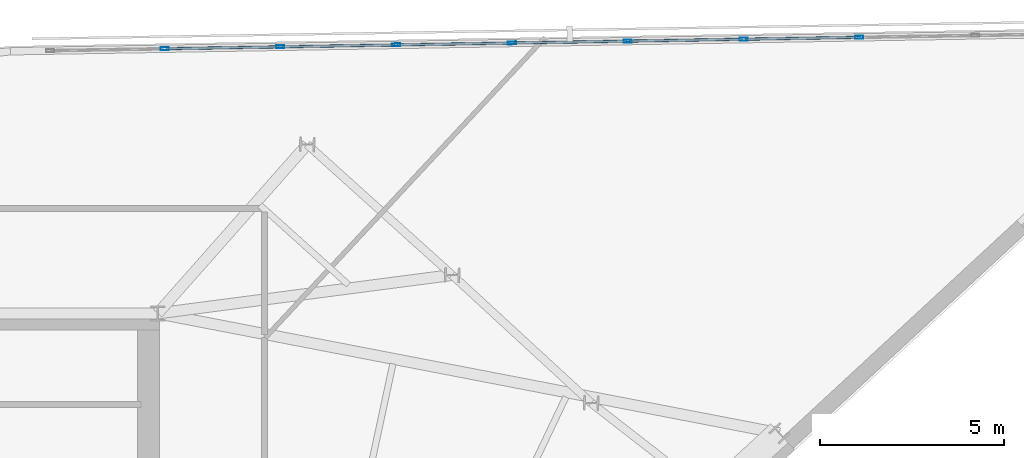
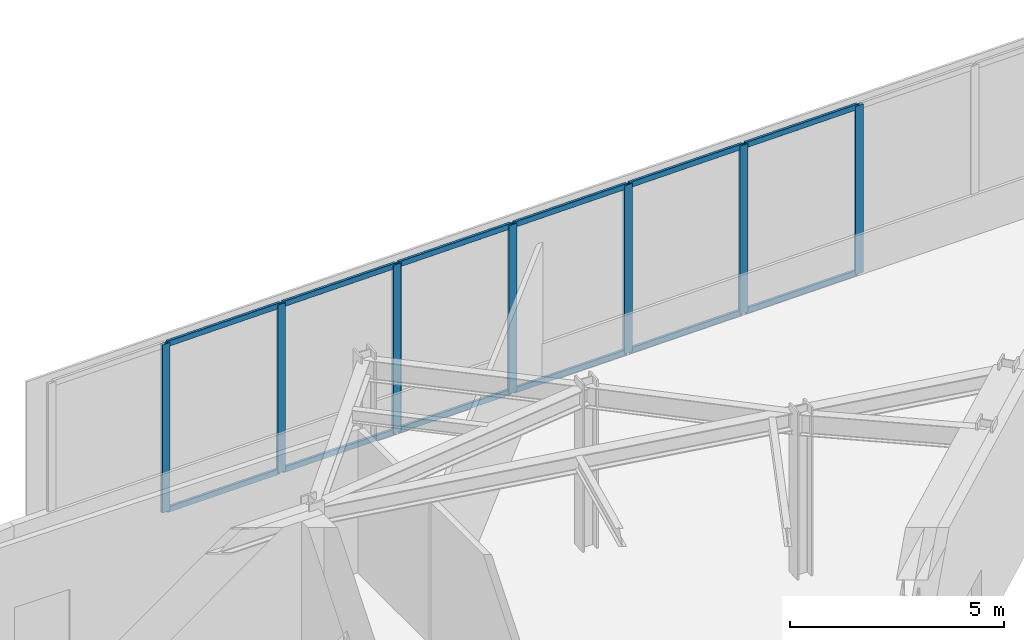
# One storey, part 6 of 12: 19 members, 1 element without a shape of its own.
"""IFC4 building model written with IfcOpenShell, lengths in metres."""

import ifcopenshell
import ifcopenshell.guid

model = None  # the IFC model being written
_history = None  # IfcOwnerHistory: only IFC2X3 demands one
_inside = {}  # id of a spatial element -> (the spatial element, [elements in it])
_under = {}  # id of a project, library or spatial element -> (it, [spatial elements below it])
_declared = {}  # id of a project -> (the project, [libraries it declares])
_typed = {}  # id of a type object -> (the type object, [elements of that type])
_made_of = {}  # id of a material, layer set ... -> (it, [elements and type objects made of it])


def new_model(schema):
    """Start an empty IFC model of exactly this schema.

    Asked for "IFC4X3", IfcOpenShell would pick the latest addendum, in which some entities
    have other attributes; the version numbers below select the first issue.
    IFC2X3 requires an IfcOwnerHistory on every rooted entity: one is made here for all.
    """
    global model, _history
    if schema == "IFC4X3":
        model = ifcopenshell.file(schema_version=(4, 3, 0, 0))
    else:
        model = ifcopenshell.file(schema=schema)
    _inside.clear()
    _under.clear()
    _declared.clear()
    _typed.clear()
    _made_of.clear()
    _history = None
    if model.schema == "IFC2X3":
        org = make("IfcOrganization", Name="unknown")
        user = make(
            "IfcPersonAndOrganization",
            ThePerson=make("IfcPerson", FamilyName="unknown"),
            TheOrganization=org,
        )
        app = make(
            "IfcApplication",
            ApplicationDeveloper=org,
            Version="unknown",
            ApplicationFullName="unknown",
            ApplicationIdentifier="unknown",
        )
        _history = make(
            "IfcOwnerHistory",
            OwningUser=user,
            OwningApplication=app,
            ChangeAction="ADDED",
            CreationDate=0,
        )
    return model


def make(cls, **values):
    """One entity of the class cls with the attributes given. An attribute that is None is left unset."""
    return model.create_entity(
        cls, **{name: value for name, value in values.items() if value is not None}
    )


def rooted(cls, **values):
    """An entity with a GlobalId (a new one), such as an element, a storey or a relation."""
    return make(cls, GlobalId=ifcopenshell.guid.new(), OwnerHistory=_history, **values)


def si_unit(unit_type, name, prefix=None):
    """IfcSIUnit, for example si_unit("LENGTHUNIT", "METRE", prefix="MILLI")."""
    return make("IfcSIUnit", UnitType=unit_type, Prefix=prefix, Name=name)


def assignment(units):
    """IfcUnitAssignment: the units of a project."""
    return None if units is None else make("IfcUnitAssignment", Units=units)


def point(xyz):
    """IfcCartesianPoint."""
    return None if xyz is None else make("IfcCartesianPoint", Coordinates=xyz)


def direction(xyz):
    """IfcDirection."""
    return None if xyz is None else make("IfcDirection", DirectionRatios=xyz)


def frame(location, z_axis=None, x_axis=None):
    """IfcAxis2Placement3D, a coordinate frame: its origin and axes. An axis left out is left unset."""
    return make(
        "IfcAxis2Placement3D",
        Location=point(location),
        Axis=direction(z_axis),
        RefDirection=direction(x_axis),
    )


def frame_2d(location, x_axis=None):
    """IfcAxis2Placement2D, a coordinate frame in the plane: its origin and x axis."""
    return make(
        "IfcAxis2Placement2D", Location=point(location), RefDirection=direction(x_axis)
    )


def origin():
    """The frame at (0, 0, 0) with its axes left unset."""
    return frame((0.0, 0.0, 0.0))


def origin_2d():
    """The frame at (0, 0) in the plane with its x axis left unset."""
    return frame_2d((0.0, 0.0))


def place(relative_to, where):
    """IfcLocalPlacement: puts the frame where relative to a parent placement (None: the world)."""
    return make(
        "IfcLocalPlacement", PlacementRelTo=relative_to, RelativePlacement=where
    )


def context(
    kind, dimensions, precision=None, world=None, true_north=None, identifier=None
):
    """IfcGeometricRepresentationContext, for example the 3D "Model" context."""
    return make(
        "IfcGeometricRepresentationContext",
        ContextIdentifier=identifier,
        ContextType=kind,
        CoordinateSpaceDimension=dimensions,
        Precision=precision,
        WorldCoordinateSystem=world,
        TrueNorth=true_north,
    )


def subcontext(parent, identifier, kind, view, scale=None):
    """IfcGeometricRepresentationSubContext, for example "Body" below "Model"."""
    return make(
        "IfcGeometricRepresentationSubContext",
        ContextIdentifier=identifier,
        ContextType=kind,
        ParentContext=parent,
        TargetScale=scale,
        TargetView=view,
    )


def project(units=None, contexts=None):
    """IfcProject with its units and contexts."""
    return rooted(
        "IfcProject",
        Name="project",
        RepresentationContexts=contexts,
        UnitsInContext=assignment(units),
    )


def spatial(cls, under=None, at=None, **own):
    """A site, building, storey or space (cls), placed at a placement, below another one or the project."""
    s = rooted(cls, ObjectPlacement=at, **own)
    if under is not None:
        _under.setdefault(under.id(), (under, []))[1].append(s)
    return s


def profile(cls, at=None, kind="AREA", **sizes):
    """A parametric profile (cls). Its sizes go by their IFC names, for example OverallWidth=200.0."""
    return make(cls, ProfileType=kind, Position=at, **sizes)


def hollow_rectangle(**sizes):
    """IfcRectangleHollowProfileDef."""
    return profile("IfcRectangleHollowProfileDef", **sizes)


def extrude(swept, where, along, depth):
    """IfcExtrudedAreaSolid: the profile swept, set in the frame where, extruded along a direction by depth."""
    return make(
        "IfcExtrudedAreaSolid",
        SweptArea=swept,
        Position=where,
        ExtrudedDirection=direction(along),
        Depth=depth,
    )


def shape(context_of_items, identifier, shape_type, items):
    """IfcShapeRepresentation: the items that make up one representation, for example the "Body"."""
    return make(
        "IfcShapeRepresentation",
        ContextOfItems=context_of_items,
        RepresentationIdentifier=identifier,
        RepresentationType=shape_type,
        Items=items,
    )


def material(Name=None, Category=None):
    """IfcMaterial."""
    return make("IfcMaterial", Name=Name, Category=Category)


def material_profile(
    of_material, cross_section, Name=None, Category=None, Priority=None
):
    """IfcMaterialProfile: a cross section and its material."""
    return make(
        "IfcMaterialProfile",
        Name=Name,
        Material=of_material,
        Profile=cross_section,
        Priority=Priority,
        Category=Category,
    )


def profile_set(profiles, Name=None, composite=None):
    """IfcMaterialProfileSet."""
    return make(
        "IfcMaterialProfileSet",
        Name=Name,
        MaterialProfiles=profiles,
        CompositeProfile=composite,
    )


def made_of(thing, what):
    """Note that an element or type object is made of a material, layer set ...; save() writes the relation."""
    if what is not None:
        _made_of.setdefault(what.id(), (what, []))[1].append(thing)
    return thing


def type_object(cls, material=None, **own):
    """A type object (cls), such as IfcWallType, which elements share."""
    return made_of(rooted(cls, **own), material)


def element(
    cls,
    number,
    at=None,
    inside=None,
    cuts=None,
    type_object=None,
    material=None,
    context=None,
    identifier="Body",
    shape_type=None,
    held_by="IfcProductDefinitionShape",
    body=None,
    shapes=None,
    **own,
):
    """One element of the class cls, such as IfcWall. Its Tag is "e" and its number.

    at: its placement. inside: the storey or other place that contains it. cuts: it is an
    opening in that element (IfcRelVoidsElement). A single representation is given by context,
    identifier, shape_type and body (its items); several are given by shapes. held_by: the class
    of the entity that holds the representations. save() writes the other relations.
    """
    e = rooted(cls, Tag="e%d" % number, ObjectPlacement=at, **own)
    if body is not None:
        shapes = [shape(context, identifier, shape_type, body)]
    if shapes is not None:
        e.Representation = make(held_by, Representations=shapes)
    if inside is not None:
        _inside.setdefault(inside.id(), (inside, []))[1].append(e)
    if cuts is not None:
        rooted(
            "IfcRelVoidsElement", RelatingBuildingElement=cuts, RelatedOpeningElement=e
        )
    if type_object is not None:
        _typed.setdefault(type_object.id(), (type_object, []))[1].append(e)
    return made_of(e, material)


def aggregate(whole, parts):
    """IfcRelAggregates: a whole, such as a stair, and the parts it consists of."""
    return rooted("IfcRelAggregates", RelatingObject=whole, RelatedObjects=parts)


def save(model, path):
    """Write the relations noted so far, then the file.

    IfcRelAggregates (storeys below a building ...), IfcRelContainedInSpatialStructure (elements
    in a storey), IfcRelDefinesByType, IfcRelAssociatesMaterial and IfcRelDeclares: one each for
    every whole, place, type object, material and project.
    """
    for whole, parts in _under.values():
        aggregate(whole, parts)
    for where, things in _inside.values():
        rooted(
            "IfcRelContainedInSpatialStructure",
            RelatedElements=things,
            RelatingStructure=where,
        )
    for kind, things in _typed.values():
        rooted("IfcRelDefinesByType", RelatedObjects=things, RelatingType=kind)
    for what, things in _made_of.values():
        rooted("IfcRelAssociatesMaterial", RelatedObjects=things, RelatingMaterial=what)
    for by, libraries in _declared.values():
        rooted("IfcRelDeclares", RelatingContext=by, RelatedDefinitions=libraries)
    model.write(path)


model = new_model("IFC4")

# Units and contexts
model_context = context("Model", 3, precision=1e-05, world=origin(), true_north=direction((0.0, 1.0)))
body_context = subcontext(model_context, "Body", "Model", "MODEL_VIEW")
ifc_project = project(units=[si_unit("LENGTHUNIT", "METRE"), si_unit("AREAUNIT", "SQUARE_METRE"), si_unit("VOLUMEUNIT", "CUBIC_METRE"), si_unit("PLANEANGLEUNIT", "RADIAN"), si_unit("MASSUNIT", "GRAM", prefix="KILO")], contexts=[model_context])

# Site, building, storey
site_placement = place(None, origin())
site = spatial("IfcSite", under=ifc_project, at=site_placement, CompositionType="ELEMENT")
building_placement = place(site_placement, origin())
building = spatial("IfcBuilding", under=site, at=building_placement, Name="Narakoshi Arena Tower", CompositionType="ELEMENT")
storey_placement = place(building_placement, frame((0.0, 0.0, 298.179931640625)))
storey = spatial("IfcBuildingStorey", under=building, at=storey_placement, Name="L81", CompositionType="ELEMENT", Elevation=298.179931640625)

# Curtain wall, members
ifc_material = material(Name="Anodised bronze aluminium 6063-T6", Category="aluminium")
curtain_wall_type = type_object("IfcCurtainWallType", Name="CW-CRN-FACET", PredefinedType="NOTDEFINED", material=ifc_material)
curtain_wall_placement = place(storey_placement, origin())
curtain_wall = element("IfcCurtainWall", 1, at=curtain_wall_placement, inside=storey, type_object=curtain_wall_type, Name="L81 Slanted-Cut Crown Curtain Wall 6-1", PredefinedType="NOTDEFINED")
ifc_material_profile_1 = material_profile(ifc_material, hollow_rectangle(XDim=0.080078125, YDim=0.219970703125, WallThickness=0.0048828125, OuterFilletRadius=0.006103515625, at=origin_2d()), Name="MUL220x80x5")
ifc_profile_set_1 = profile_set([ifc_material_profile_1], Name="Anodised bronze aluminium 6063-T6")
member_type_1 = type_object("IfcMemberType", Name="MEM-MUL-220", PredefinedType="MULLION", material=ifc_profile_set_1)
member_1_placement = place(storey_placement, frame((85.737548828125, 63.69189453125, 0.0), z_axis=(0.0, 0.0, 1.0), x_axis=(-0.016446618882, 0.999864745217, 0.0)))
member_1 = element("IfcMember", 2, at=member_1_placement, type_object=member_type_1, Name="CW-06 mullion 2", PredefinedType="MULLION", context=body_context, shape_type="SweptSolid", body=[
    extrude(hollow_rectangle(XDim=0.080078125, YDim=0.219970703125, WallThickness=0.0048828125, OuterFilletRadius=0.006103515625, at=origin_2d()), origin(), (0.0, 0.0, 1.0), 4.800048828125),
])
member_2_placement = place(storey_placement, frame((88.8837890625, 63.74365234375, 0.0), z_axis=(0.0, 0.0, 1.0), x_axis=(-0.016446618882, 0.999864745217, 0.0)))
member_2 = element("IfcMember", 3, at=member_2_placement, type_object=member_type_1, Name="CW-06 mullion 3", PredefinedType="MULLION", context=body_context, shape_type="SweptSolid", body=[
    extrude(hollow_rectangle(XDim=0.080078125, YDim=0.219970703125, WallThickness=0.0048828125, OuterFilletRadius=0.006103515625, at=origin_2d()), origin(), (0.0, 0.0, 1.0), 4.800048828125),
])
member_3_placement = place(storey_placement, frame((92.0302734375, 63.79541015625, 0.0), z_axis=(0.0, 0.0, 1.0), x_axis=(-0.016446618882, 0.999864745217, 0.0)))
member_3 = element("IfcMember", 4, at=member_3_placement, type_object=member_type_1, Name="CW-06 mullion 4", PredefinedType="MULLION", context=body_context, shape_type="SweptSolid", body=[
    extrude(hollow_rectangle(XDim=0.080078125, YDim=0.219970703125, WallThickness=0.0048828125, OuterFilletRadius=0.006103515625, at=origin_2d()), origin(), (0.0, 0.0, 1.0), 4.800048828125),
])
member_4_placement = place(storey_placement, frame((95.1767578125, 63.84716796875, 0.0), z_axis=(0.0, 0.0, 1.0), x_axis=(-0.016446618882, 0.999864745217, 0.0)))
member_4 = element("IfcMember", 5, at=member_4_placement, type_object=member_type_1, Name="CW-06 mullion 5", PredefinedType="MULLION", context=body_context, shape_type="SweptSolid", body=[
    extrude(hollow_rectangle(XDim=0.080078125, YDim=0.219970703125, WallThickness=0.0048828125, OuterFilletRadius=0.006103515625, at=origin_2d()), origin(), (0.0, 0.0, 1.0), 4.800048828125),
])
member_5_placement = place(storey_placement, frame((98.3232421875, 63.89892578125, 0.0), z_axis=(0.0, 0.0, 1.0), x_axis=(-0.016446618882, 0.999864745217, 0.0)))
member_5 = element("IfcMember", 6, at=member_5_placement, type_object=member_type_1, Name="CW-06 mullion 6", PredefinedType="MULLION", context=body_context, shape_type="SweptSolid", body=[
    extrude(hollow_rectangle(XDim=0.080078125, YDim=0.219970703125, WallThickness=0.0048828125, OuterFilletRadius=0.006103515625, at=origin_2d()), origin(), (0.0, 0.0, 1.0), 4.800048828125),
])
member_6_placement = place(storey_placement, frame((101.4697265625, 63.95068359375, 0.0), z_axis=(0.0, 0.0, 1.0), x_axis=(-0.016446618882, 0.999864745217, 0.0)))
member_6 = element("IfcMember", 7, at=member_6_placement, type_object=member_type_1, Name="CW-06 mullion 7", PredefinedType="MULLION", context=body_context, shape_type="SweptSolid", body=[
    extrude(hollow_rectangle(XDim=0.080078125, YDim=0.219970703125, WallThickness=0.0048828125, OuterFilletRadius=0.006103515625, at=origin_2d()), origin(), (0.0, 0.0, 1.0), 4.800048828125),
])
member_7_placement = place(storey_placement, frame((104.6162109375, 64.00244140625, 0.0), z_axis=(0.0, 0.0, 1.0), x_axis=(-0.016446618882, 0.999864745217, 0.0)))
member_7 = element("IfcMember", 8, at=member_7_placement, type_object=member_type_1, Name="CW-06 mullion 8", PredefinedType="MULLION", context=body_context, shape_type="SweptSolid", body=[
    extrude(hollow_rectangle(XDim=0.080078125, YDim=0.219970703125, WallThickness=0.0048828125, OuterFilletRadius=0.006103515625, at=origin_2d()), origin(), (0.0, 0.0, 1.0), 4.800048828125),
])
ifc_material_profile_2 = material_profile(ifc_material, hollow_rectangle(XDim=0.070068359375, YDim=0.159912109375, WallThickness=0.00390625, OuterFilletRadius=0.0048828125, at=origin_2d()), Name="TRN160x70x4")
ifc_profile_set_2 = profile_set([ifc_material_profile_2], Name="Anodised bronze aluminium 6063-T6")
member_type_2 = type_object("IfcMemberType", Name="MEM-TRN-160", PredefinedType="USERDEFINED", material=ifc_profile_set_2)
member_8_placement = place(storey_placement, frame((85.77734375, 63.692626953125, 0.03515625), z_axis=(0.999865547643, 0.016397763141, 0.0), x_axis=(-0.016397763141, 0.999865547643, 0.0)))
member_8 = element("IfcMember", 9, at=member_8_placement, type_object=member_type_2, Name="CW-06 transom 2.1", ObjectType="TRANSOM", PredefinedType="USERDEFINED", context=body_context, shape_type="SweptSolid", body=[
    extrude(hollow_rectangle(XDim=0.070068359375, YDim=0.159912109375, WallThickness=0.00390625, OuterFilletRadius=0.0048828125, at=origin_2d()), origin(), (0.0, 0.0, 1.0), 3.067138671875),
])
member_9_placement = place(storey_placement, frame((85.77734375, 63.692626953125, 4.76513671875), z_axis=(0.999865547643, 0.016397763141, 0.0), x_axis=(-0.016397763141, 0.999865547643, 0.0)))
member_9 = element("IfcMember", 10, at=member_9_placement, type_object=member_type_2, Name="CW-06 transom 2.2", ObjectType="TRANSOM", PredefinedType="USERDEFINED", context=body_context, shape_type="SweptSolid", body=[
    extrude(hollow_rectangle(XDim=0.070068359375, YDim=0.159912109375, WallThickness=0.00390625, OuterFilletRadius=0.0048828125, at=origin_2d()), origin(), (0.0, 0.0, 1.0), 3.067138671875),
])
member_10_placement = place(storey_placement, frame((88.923828125, 63.744384765625, 0.03515625), z_axis=(0.999865547643, 0.016397763141, 0.0), x_axis=(-0.016397763141, 0.999865547643, 0.0)))
member_10 = element("IfcMember", 11, at=member_10_placement, type_object=member_type_2, Name="CW-06 transom 3.1", ObjectType="TRANSOM", PredefinedType="USERDEFINED", context=body_context, shape_type="SweptSolid", body=[
    extrude(hollow_rectangle(XDim=0.070068359375, YDim=0.159912109375, WallThickness=0.00390625, OuterFilletRadius=0.0048828125, at=origin_2d()), origin(), (0.0, 0.0, 1.0), 3.067138671875),
])
member_11_placement = place(storey_placement, frame((88.923828125, 63.744384765625, 4.76513671875), z_axis=(0.999865547643, 0.016397763141, 0.0), x_axis=(-0.016397763141, 0.999865547643, 0.0)))
member_11 = element("IfcMember", 12, at=member_11_placement, type_object=member_type_2, Name="CW-06 transom 3.2", ObjectType="TRANSOM", PredefinedType="USERDEFINED", context=body_context, shape_type="SweptSolid", body=[
    extrude(hollow_rectangle(XDim=0.070068359375, YDim=0.159912109375, WallThickness=0.00390625, OuterFilletRadius=0.0048828125, at=origin_2d()), origin(), (0.0, 0.0, 1.0), 3.067138671875),
])
member_12_placement = place(storey_placement, frame((92.0703125, 63.796142578125, 0.03515625), z_axis=(0.999865526237, 0.016399068344, 0.0), x_axis=(-0.016399068344, 0.999865526237, 0.0)))
member_12 = element("IfcMember", 13, at=member_12_placement, type_object=member_type_2, Name="CW-06 transom 4.1", ObjectType="TRANSOM", PredefinedType="USERDEFINED", context=body_context, shape_type="SweptSolid", body=[
    extrude(hollow_rectangle(XDim=0.070068359375, YDim=0.159912109375, WallThickness=0.00390625, OuterFilletRadius=0.0048828125, at=origin_2d()), origin(), (0.0, 0.0, 1.0), 3.06689453125),
])
member_13_placement = place(storey_placement, frame((92.0703125, 63.796142578125, 4.76513671875), z_axis=(0.999865526237, 0.016399068344, 0.0), x_axis=(-0.016399068344, 0.999865526237, 0.0)))
member_13 = element("IfcMember", 14, at=member_13_placement, type_object=member_type_2, Name="CW-06 transom 4.2", ObjectType="TRANSOM", PredefinedType="USERDEFINED", context=body_context, shape_type="SweptSolid", body=[
    extrude(hollow_rectangle(XDim=0.070068359375, YDim=0.159912109375, WallThickness=0.00390625, OuterFilletRadius=0.0048828125, at=origin_2d()), origin(), (0.0, 0.0, 1.0), 3.06689453125),
])
member_14_placement = place(storey_placement, frame((95.216796875, 63.847900390625, 0.03515625), z_axis=(0.999865526237, 0.016399068344, 0.0), x_axis=(-0.016399068344, 0.999865526237, 0.0)))
member_14 = element("IfcMember", 15, at=member_14_placement, type_object=member_type_2, Name="CW-06 transom 5.1", ObjectType="TRANSOM", PredefinedType="USERDEFINED", context=body_context, shape_type="SweptSolid", body=[
    extrude(hollow_rectangle(XDim=0.070068359375, YDim=0.159912109375, WallThickness=0.00390625, OuterFilletRadius=0.0048828125, at=origin_2d()), origin(), (0.0, 0.0, 1.0), 3.06689453125),
])
member_15_placement = place(storey_placement, frame((95.216796875, 63.847900390625, 4.76513671875), z_axis=(0.999865526237, 0.016399068344, 0.0), x_axis=(-0.016399068344, 0.999865526237, 0.0)))
member_15 = element("IfcMember", 16, at=member_15_placement, type_object=member_type_2, Name="CW-06 transom 5.2", ObjectType="TRANSOM", PredefinedType="USERDEFINED", context=body_context, shape_type="SweptSolid", body=[
    extrude(hollow_rectangle(XDim=0.070068359375, YDim=0.159912109375, WallThickness=0.00390625, OuterFilletRadius=0.0048828125, at=origin_2d()), origin(), (0.0, 0.0, 1.0), 3.06689453125),
])
member_16_placement = place(storey_placement, frame((98.36328125, 63.8994140625, 0.03515625), z_axis=(0.999864217764, 0.016478653907, 0.0), x_axis=(-0.016478653907, 0.999864217764, 0.0)))
member_16 = element("IfcMember", 17, at=member_16_placement, type_object=member_type_2, Name="CW-06 transom 6.1", ObjectType="TRANSOM", PredefinedType="USERDEFINED", context=body_context, shape_type="SweptSolid", body=[
    extrude(hollow_rectangle(XDim=0.070068359375, YDim=0.159912109375, WallThickness=0.00390625, OuterFilletRadius=0.0048828125, at=origin_2d()), origin(), (0.0, 0.0, 1.0), 3.06689453125),
])
member_17_placement = place(storey_placement, frame((98.36328125, 63.8994140625, 4.76513671875), z_axis=(0.999864217764, 0.016478653907, 0.0), x_axis=(-0.016478653907, 0.999864217764, 0.0)))
member_17 = element("IfcMember", 18, at=member_17_placement, type_object=member_type_2, Name="CW-06 transom 6.2", ObjectType="TRANSOM", PredefinedType="USERDEFINED", context=body_context, shape_type="SweptSolid", body=[
    extrude(hollow_rectangle(XDim=0.070068359375, YDim=0.159912109375, WallThickness=0.00390625, OuterFilletRadius=0.0048828125, at=origin_2d()), origin(), (0.0, 0.0, 1.0), 3.06689453125),
])
member_18_placement = place(storey_placement, frame((101.509765625, 63.951171875, 0.03515625), z_axis=(0.999864217764, 0.016478653907, 0.0), x_axis=(-0.016478653907, 0.999864217764, 0.0)))
member_18 = element("IfcMember", 19, at=member_18_placement, type_object=member_type_2, Name="CW-06 transom 7.1", ObjectType="TRANSOM", PredefinedType="USERDEFINED", context=body_context, shape_type="SweptSolid", body=[
    extrude(hollow_rectangle(XDim=0.070068359375, YDim=0.159912109375, WallThickness=0.00390625, OuterFilletRadius=0.0048828125, at=origin_2d()), origin(), (0.0, 0.0, 1.0), 3.06689453125),
])
member_19_placement = place(storey_placement, frame((101.509765625, 63.951171875, 4.76513671875), z_axis=(0.999864217764, 0.016478653907, 0.0), x_axis=(-0.016478653907, 0.999864217764, 0.0)))
member_19 = element("IfcMember", 20, at=member_19_placement, type_object=member_type_2, Name="CW-06 transom 7.2", ObjectType="TRANSOM", PredefinedType="USERDEFINED", context=body_context, shape_type="SweptSolid", body=[
    extrude(hollow_rectangle(XDim=0.070068359375, YDim=0.159912109375, WallThickness=0.00390625, OuterFilletRadius=0.0048828125, at=origin_2d()), origin(), (0.0, 0.0, 1.0), 3.06689453125),
])
aggregate(curtain_wall, [member_1, member_2, member_3, member_4, member_5, member_6, member_7, member_8, member_9, member_10, member_11, member_12, member_13, member_14, member_15, member_16, member_17, member_18, member_19])

save(model, "model.ifc")
